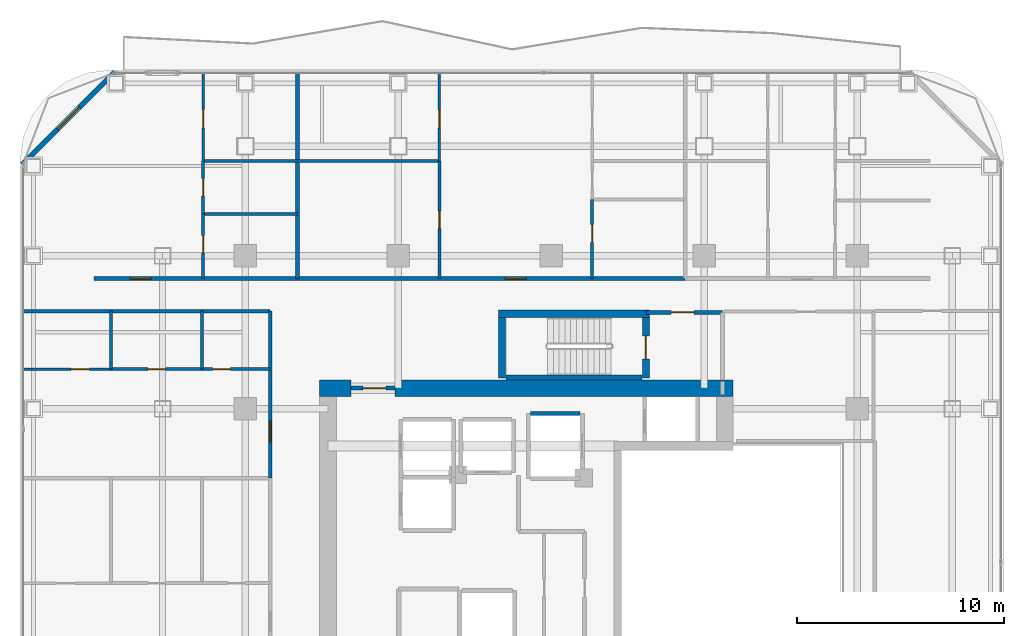
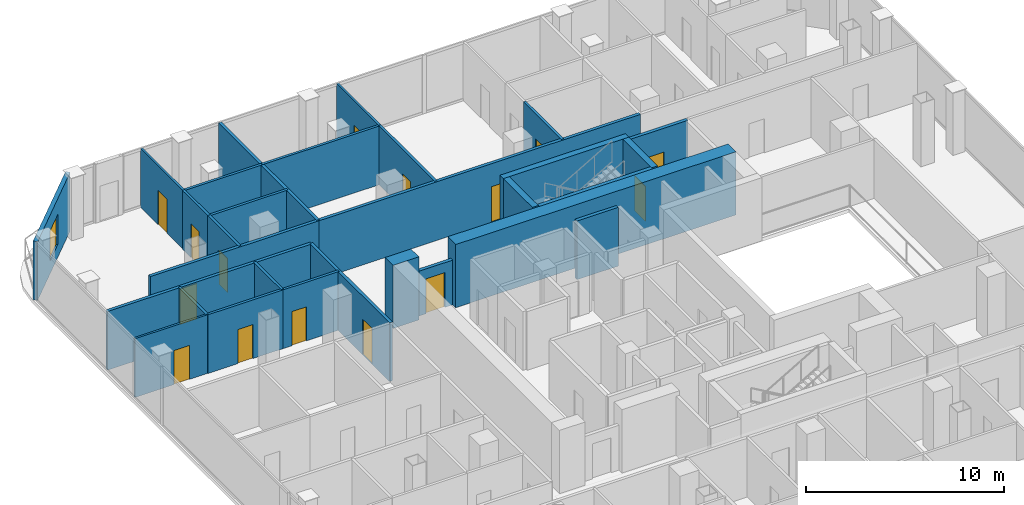
# One storey, part 22 of 26: 29 walls, 15 doors, 1 window, 16 openings.
"""IFC4 building model written with IfcOpenShell, lengths in metres."""

from ifc_helpers import new_model, si_unit, direction, frame, frame_2d, origin, place, context, subcontext, project, spatial, rectangle, extrude, material, layer, layer_set, type_object, element, fill, save


model = new_model("IFC4")

# Units and contexts
model_context = context("Model", 3, precision=1e-05, world=origin(), true_north=direction((0.0, 1.0)))
body_context = subcontext(model_context, "Body", "Model", "MODEL_VIEW")
ifc_project = project(units=[si_unit("LENGTHUNIT", "METRE"), si_unit("AREAUNIT", "SQUARE_METRE"), si_unit("VOLUMEUNIT", "CUBIC_METRE"), si_unit("PLANEANGLEUNIT", "RADIAN"), si_unit("MASSUNIT", "GRAM", prefix="KILO")], contexts=[model_context])

# Site, building, storey
site_placement = place(None, origin())
site = spatial("IfcSite", under=ifc_project, at=site_placement, CompositionType="ELEMENT")
building_placement = place(site_placement, origin())
building = spatial("IfcBuilding", under=site, at=building_placement, Name="Khorvyn Point Tower", CompositionType="ELEMENT")
storey_placement = place(building_placement, frame((0.0, 0.0, 187.5)))
storey = spatial("IfcBuildingStorey", under=building, at=storey_placement, Name="L46", CompositionType="ELEMENT", Elevation=187.5)

# Wall, opening, door
ifc_material_1 = material(Name="Double acoustic gypsum on twin steel stud", Category="steel")
ifc_layer_1 = layer(ifc_material_1, 0.179931640625)
ifc_layer_set_1 = layer_set([ifc_layer_1], Name="Acoustic Double-Stud Apartment Demising Wall 180")
wall_type_1 = type_object("IfcWallType", Name="Acoustic Double-Stud Apartment Demising Wall 180", PredefinedType="PARTITIONING", material=ifc_layer_set_1)
wall_1_placement = place(storey_placement, frame((-22.1201171875, 13.699951171875, 0.0), z_axis=(0.0, 0.0, 1.0), x_axis=(1.0, 0.0, 0.0)))
wall_1 = element("IfcWall", 1, at=wall_1_placement, inside=storey, type_object=wall_type_1, Name="Wall", PredefinedType="PARTITIONING", context=body_context, shape_type="SweptSolid", body=[
    extrude(rectangle(XDim=9.840087890625, YDim=0.179931640625, at=frame_2d((4.919921875, 0.0))), origin(), (0.0, 0.0, 1.0), 3.6201171875),
])
opening_1_placement = place(wall_1_placement, frame((1.757568359375, 0.0, 0.0)))
opening_1 = element("IfcOpeningElement", 2, at=opening_1_placement, cuts=wall_1, Name="Opening ID-AP60", PredefinedType="OPENING", context=body_context, shape_type="SweptSolid", body=[
    extrude(rectangle(XDim=1.0, YDim=2.199951171875, at=frame_2d((0.5, 1.10009765625))), frame((0.0, 0.099853515625, 0.0), z_axis=(0.0, -1.0, 0.0), x_axis=(1.0, 0.0, 0.0)), (0.0, 0.0, 1.0), 0.199951171875),
])
ifc_material_2 = material(Name="Engineered hardwood fire-rated leaf", Category="wood")
door_type_1 = type_object("IfcDoorType", Name="Acoustic Solid-Core Timber Apartment Entrance Door 1000x2200", OperationType="NOTDEFINED", PredefinedType="DOOR", material=ifc_material_2)
door_1_placement = place(opening_1_placement, origin())
door_1 = element("IfcDoor", 3, at=door_1_placement, inside=storey, type_object=door_type_1, Name="Door", OperationType="SINGLE_SWING_RIGHT", OverallHeight=2.199951171875, OverallWidth=1.0, PredefinedType="DOOR", context=body_context, shape_type="SweptSolid", body=[
    extrude(rectangle(XDim=1.0, YDim=2.199951171875, at=frame_2d((0.5, 1.10009765625))), frame((0.0, 0.02490234375, 0.0), z_axis=(0.0, -1.0, 0.0), x_axis=(1.0, 0.0, 0.0)), (0.0, 0.0, 1.0), 0.050048828125),
])
fill(opening_1, door_1)

wall_2_placement = place(storey_placement, frame((-12.280029296875, 13.699951171875, 0.0), z_axis=(0.0, 0.0, 1.0), x_axis=(1.0, 0.0, 0.0)))
wall_2 = element("IfcWall", 4, at=wall_2_placement, inside=storey, type_object=wall_type_1, Name="Wall", PredefinedType="PARTITIONING", context=body_context, shape_type="SweptSolid", body=[
    extrude(rectangle(XDim=18.758056640625, YDim=0.179931640625, at=frame_2d((9.37890625, 0.0))), origin(), (0.0, 0.0, 1.0), 3.6201171875),
])
opening_2_placement = place(wall_2_placement, frame((10.047607421875, 0.0, 0.0)))
opening_2 = element("IfcOpeningElement", 5, at=opening_2_placement, cuts=wall_2, Name="Opening ID-AP60", PredefinedType="OPENING", context=body_context, shape_type="SweptSolid", body=[
    extrude(rectangle(XDim=1.0, YDim=2.199951171875, at=frame_2d((0.5, 1.10009765625))), frame((0.0, 0.099853515625, 0.0), z_axis=(0.0, -1.0, 0.0), x_axis=(1.0, 0.0, 0.0)), (0.0, 0.0, 1.0), 0.199951171875),
])
door_2_placement = place(opening_2_placement, origin())
door_2 = element("IfcDoor", 6, at=door_2_placement, inside=storey, type_object=door_type_1, Name="Door", OperationType="SINGLE_SWING_RIGHT", OverallHeight=2.199951171875, OverallWidth=1.0, PredefinedType="DOOR", context=body_context, shape_type="SweptSolid", body=[
    extrude(rectangle(XDim=1.0, YDim=2.199951171875, at=frame_2d((0.5, 1.10009765625))), frame((0.0, 0.02490234375, 0.0), z_axis=(0.0, -1.0, 0.0), x_axis=(1.0, 0.0, 0.0)), (0.0, 0.0, 1.0), 0.050048828125),
])
fill(opening_2, door_2)

wall_3_placement = place(storey_placement, frame((-13.60009765625, 4.0400390625, 0.0), z_axis=(0.0, 0.0, 1.0), x_axis=(0.0, 1.0, 0.0)))
wall_3 = element("IfcWall", 7, at=wall_3_placement, inside=storey, type_object=wall_type_1, Name="Wall", PredefinedType="PARTITIONING", context=body_context, shape_type="SweptSolid", body=[
    extrude(rectangle(XDim=8.080078125, YDim=0.179931640625, at=frame_2d((4.0400390625, 0.0))), origin(), (0.0, 0.0, 1.0), 3.6201171875),
])
opening_3_placement = place(wall_3_placement, frame((1.760986328125, 0.0, 0.0)))
opening_3 = element("IfcOpeningElement", 8, at=opening_3_placement, cuts=wall_3, Name="Opening ID-AP60", PredefinedType="OPENING", context=body_context, shape_type="SweptSolid", body=[
    extrude(rectangle(XDim=1.0, YDim=2.199951171875, at=frame_2d((0.5, 1.10009765625))), frame((0.0, 0.099853515625, 0.0), z_axis=(0.0, -1.0, 0.0), x_axis=(1.0, 0.0, 0.0)), (0.0, 0.0, 1.0), 0.199951171875),
])
door_3_placement = place(opening_3_placement, origin())
door_3 = element("IfcDoor", 9, at=door_3_placement, inside=storey, type_object=door_type_1, Name="Door", OperationType="SINGLE_SWING_LEFT", OverallHeight=2.199951171875, OverallWidth=1.0, PredefinedType="DOOR", context=body_context, shape_type="SweptSolid", body=[
    extrude(rectangle(XDim=1.0, YDim=2.199951171875, at=frame_2d((0.5, 1.10009765625))), frame((0.0, 0.02490234375, 0.0), z_axis=(0.0, -1.0, 0.0), x_axis=(1.0, 0.0, 0.0)), (0.0, 0.0, 1.0), 0.050048828125),
])
fill(opening_3, door_3)

# Walls
wall_4_placement = place(storey_placement, frame((-12.280029296875, 13.699951171875, 0.0), z_axis=(0.0, 0.0, 1.0), x_axis=(0.0, 1.0, 0.0)))
element("IfcWall", 10, at=wall_4_placement, inside=storey, type_object=wall_type_1, Name="Wall", PredefinedType="PARTITIONING", context=body_context, shape_type="SweptSolid", body=[
    extrude(rectangle(XDim=9.929931640625, YDim=0.179931640625, at=frame_2d((4.96484375, 0.0))), origin(), (0.0, 0.0, 1.0), 3.6201171875),
])
wall_5_placement = place(storey_placement, frame((-25.530029296875, 12.1201171875, 0.0), z_axis=(0.0, 0.0, 1.0), x_axis=(1.0, 0.0, 0.0)))
element("IfcWall", 11, at=wall_5_placement, inside=storey, type_object=wall_type_1, Name="Wall", PredefinedType="PARTITIONING", context=body_context, shape_type="SweptSolid", body=[
    extrude(rectangle(XDim=11.929931640625, YDim=0.179931640625, at=frame_2d((5.96484375, 0.0))), origin(), (0.0, 0.0, 1.0), 3.6201171875),
])

# Wall, opening, window
ifc_material_3 = material(Name="Pale anodised aluminium rainscreen on steel stud", Category="steel")
ifc_layer_2 = layer(ifc_material_3, 0.239990234375)
ifc_layer_set_2 = layer_set([ifc_layer_2], Name="Anodised Aluminium Insulated Corner Spandrel Wall 240")
wall_type_2 = type_object("IfcWallType", Name="Anodised Aluminium Insulated Corner Spandrel Wall 240", PredefinedType="SOLIDWALL", material=ifc_layer_set_2)
wall_6_placement = place(storey_placement, frame((-25.59228515625, 19.20751953125, 0.0), z_axis=(0.0, 0.0, 1.0), x_axis=(0.707087534163, 0.707126027686, 0.0)))
wall_6 = element("IfcWall", 12, at=wall_6_placement, inside=storey, type_object=wall_type_2, Name="L46 Rounded Corner Wall NW", PredefinedType="SOLIDWALL", context=body_context, shape_type="SweptSolid", body=[
    extrude(rectangle(XDim=6.34228515625, YDim=0.239990234375, at=frame_2d((3.171142578125, 0.0))), origin(), (0.0, 0.0, 1.0), 3.6201171875),
])
opening_4_placement = place(wall_6_placement, frame((2.42138671875, 0.0, 0.800048828125)))
opening_4 = element("IfcOpeningElement", 13, at=opening_4_placement, cuts=wall_6, Name="Opening WN-1518", PredefinedType="OPENING", context=body_context, shape_type="SweptSolid", body=[
    extrude(rectangle(XDim=1.5, YDim=1.85009765625, at=frame_2d((0.75, 0.925048828125))), frame((0.0, 0.1298828125, 0.0), z_axis=(0.0, -1.0, 0.0), x_axis=(1.0, 0.0, 0.0)), (0.0, 0.0, 1.0), 0.260009765625),
])
ifc_material_4 = material(Name="Anodised aluminium 6063-T6 and laminated Low-E glass", Category="aluminium")
window_type = type_object("IfcWindowType", Name="Anodised Aluminium Rounded-Corner Panoramic Window 1500x1850", PartitioningType="SINGLE_PANEL", PredefinedType="WINDOW", material=ifc_material_4)
window_placement = place(opening_4_placement, origin())
window = element("IfcWindow", 14, at=window_placement, inside=storey, type_object=window_type, Name="L46 Corner Panoramic Window NW", OverallHeight=1.85009765625, OverallWidth=1.5, PartitioningType="SINGLE_PANEL", PredefinedType="WINDOW", context=body_context, shape_type="SweptSolid", body=[
    extrude(rectangle(XDim=1.5, YDim=1.85009765625, at=frame_2d((0.75, 0.925048828125))), frame((0.0, 0.030029296875, 0.0), z_axis=(0.0, -1.0, 0.0), x_axis=(1.0, 0.0, 0.0)), (0.0, 0.0, 1.0), 0.06005859375),
])
fill(opening_4, window)

# Wall, opening, door
ifc_material_5 = material(Name="Concrete C40/50", Category="concrete")
ifc_layer_3 = layer(ifc_material_5, 0.199951171875)
ifc_layer_set_3 = layer_set([ifc_layer_3], Name="Concrete C40/50 Fire-Lobby Compartment Wall 200")
wall_type_3 = type_object("IfcWallType", Name="Concrete C40/50 Fire-Lobby Compartment Wall 200", PredefinedType="SOLIDWALL", material=ifc_layer_set_3)
wall_7_placement = place(storey_placement, frame((4.580078125, 12.06005859375, 0.0), z_axis=(0.0, 0.0, 1.0), x_axis=(1.0, 0.0, 0.0)))
wall_7 = element("IfcWall", 15, at=wall_7_placement, inside=storey, type_object=wall_type_3, Name="Wall", PredefinedType="SOLIDWALL", context=body_context, shape_type="SweptSolid", body=[
    extrude(rectangle(XDim=3.699951171875, YDim=0.199951171875, at=frame_2d((1.85009765625, 0.0))), origin(), (0.0, 0.0, 1.0), 3.6201171875),
])
opening_5_placement = place(wall_7_placement, frame((1.21240234375, 0.0, 0.0)))
opening_5 = element("IfcOpeningElement", 16, at=opening_5_placement, cuts=wall_7, Name="Opening ID-FL90", PredefinedType="OPENING", context=body_context, shape_type="SweptSolid", body=[
    extrude(rectangle(XDim=1.10009765625, YDim=2.14990234375, at=frame_2d((0.550048828125, 1.074951171875))), frame((0.0, 0.10986328125, 0.0), z_axis=(0.0, -1.0, 0.0), x_axis=(1.0, 0.0, 0.0)), (0.0, 0.0, 1.0), 0.219970703125),
])
ifc_material_6 = material(Name="Galvanised powder-coated steel", Category="steel")
door_type_2 = type_object("IfcDoorType", Name="Fire-Rated Steel Lobby and Stair Door 1100x2150", OperationType="NOTDEFINED", PredefinedType="DOOR", material=ifc_material_6)
door_4_placement = place(opening_5_placement, origin())
door_4 = element("IfcDoor", 17, at=door_4_placement, inside=storey, type_object=door_type_2, Name="Door", OperationType="SINGLE_SWING_RIGHT", OverallHeight=2.14990234375, OverallWidth=1.10009765625, PredefinedType="DOOR", context=body_context, shape_type="SweptSolid", body=[
    extrude(rectangle(XDim=1.10009765625, YDim=2.14990234375, at=frame_2d((0.550048828125, 1.074951171875))), frame((0.0, 0.02490234375, 0.0), z_axis=(0.0, -1.0, 0.0), x_axis=(1.0, 0.0, 0.0)), (0.0, 0.0, 1.0), 0.050048828125),
])
fill(opening_5, door_4)

wall_8_placement = place(storey_placement, frame((-9.699951171875, 8.39990234375, 0.0), z_axis=(0.0, 0.0, 1.0), x_axis=(1.0, 0.0, 0.0)))
wall_8 = element("IfcWall", 18, at=wall_8_placement, inside=storey, type_object=wall_type_3, Name="Wall", PredefinedType="SOLIDWALL", context=body_context, shape_type="SweptSolid", body=[
    extrude(rectangle(XDim=2.14990234375, YDim=0.199951171875, at=frame_2d((1.074951171875, 0.0))), origin(), (0.0, 0.0, 1.0), 2.760009765625),
])
opening_6_placement = place(wall_8_placement, frame((0.597900390625, 0.0, 0.0)))
opening_6 = element("IfcOpeningElement", 19, at=opening_6_placement, cuts=wall_8, Name="Opening ID-FL90", PredefinedType="OPENING", context=body_context, shape_type="SweptSolid", body=[
    extrude(rectangle(XDim=1.10009765625, YDim=2.14990234375, at=frame_2d((0.550048828125, 1.074951171875))), frame((0.0, 0.10986328125, 0.0), z_axis=(0.0, -1.0, 0.0), x_axis=(1.0, 0.0, 0.0)), (0.0, 0.0, 1.0), 0.219970703125),
])
door_5_placement = place(opening_6_placement, origin())
door_5 = element("IfcDoor", 20, at=door_5_placement, inside=storey, type_object=door_type_2, Name="Door", OperationType="SINGLE_SWING_RIGHT", OverallHeight=2.14990234375, OverallWidth=1.10009765625, PredefinedType="DOOR", context=body_context, shape_type="SweptSolid", body=[
    extrude(rectangle(XDim=1.10009765625, YDim=2.14990234375, at=frame_2d((0.550048828125, 1.074951171875))), frame((0.0, 0.02490234375, 0.0), z_axis=(0.0, -1.0, 0.0), x_axis=(1.0, 0.0, 0.0)), (0.0, 0.0, 1.0), 0.050048828125),
])
fill(opening_6, door_5)

# Walls
ifc_layer_4 = layer(ifc_material_5, 0.25)
ifc_layer_set_4 = layer_set([ifc_layer_4], Name="Concrete C40/50 Stair Inner Cheek Structural Wall 250")
wall_type_4 = type_object("IfcWallType", Name="Concrete C40/50 Stair Inner Cheek Structural Wall 250", PredefinedType="SHEAR", material=ifc_layer_set_4)
wall_9_placement = place(storey_placement, frame((-2.199951171875, 8.91259765625, 0.0), z_axis=(0.0, 0.0, 1.0), x_axis=(1.0, 0.0, 0.0)))
element("IfcWall", 21, at=wall_9_placement, inside=storey, type_object=wall_type_4, Name="Wall", PredefinedType="SHEAR", context=body_context, shape_type="SweptSolid", body=[
    extrude(rectangle(XDim=6.599853515625, YDim=0.22509765625, at=frame_2d((3.2998046875, 0.0))), origin(), (0.0, 0.0, 1.0), 3.89990234375),
])
ifc_layer_5 = layer(ifc_material_5, 0.35009765625)
ifc_layer_set_5 = layer_set([ifc_layer_5], Name="Concrete C40/50 Stair Shaft Structural Wall 350")
wall_type_5 = type_object("IfcWallType", Name="Concrete C40/50 Stair Shaft Structural Wall 350", PredefinedType="SHEAR", material=ifc_layer_set_5)
wall_10_placement = place(storey_placement, frame((-2.554931640625, 12.0, 0.0), z_axis=(0.0, 0.0, 1.0), x_axis=(1.0, 0.0, 0.0)))
element("IfcWall", 22, at=wall_10_placement, inside=storey, type_object=wall_type_5, Name="L46 ST-02 North Shaft Wall", PredefinedType="SHEAR", context=body_context, shape_type="SweptSolid", body=[
    extrude(rectangle(XDim=7.309814453125, YDim=0.35009765625, at=frame_2d((3.65478515625, 0.0))), origin(), (0.0, 0.0, 1.0), 3.89990234375),
])
wall_11_placement = place(storey_placement, frame((-2.3798828125, 8.89990234375, 0.0), z_axis=(0.0, 0.0, 1.0), x_axis=(0.0, 1.0, 0.0)))
element("IfcWall", 23, at=wall_11_placement, inside=storey, type_object=wall_type_5, Name="L46 ST-02 West Shaft Wall", PredefinedType="SHEAR", context=body_context, shape_type="SweptSolid", body=[
    extrude(rectangle(XDim=2.925048828125, YDim=0.35009765625, at=frame_2d((1.46240234375, 0.0))), origin(), (0.0, 0.0, 1.0), 3.89990234375),
])

# Wall, opening, door
wall_12_placement = place(storey_placement, frame((4.580078125, 11.824951171875, 0.0), z_axis=(0.0, 0.0, 1.0), x_axis=(0.0, -1.0, 0.0)))
wall_12 = element("IfcWall", 24, at=wall_12_placement, inside=storey, type_object=wall_type_5, Name="L46 ST-02 East Landing Door Wall", PredefinedType="SHEAR", context=body_context, shape_type="SweptSolid", body=[
    extrude(rectangle(XDim=2.925048828125, YDim=0.35009765625, at=frame_2d((1.46240234375, 0.0))), origin(), (0.0, 0.0, 1.0), 3.89990234375),
])
opening_7_placement = place(wall_12_placement, frame((0.91259765625, 0.0, 0.0)))
opening_7 = element("IfcOpeningElement", 25, at=opening_7_placement, cuts=wall_12, Name="Opening ID-FL90", PredefinedType="OPENING", context=body_context, shape_type="SweptSolid", body=[
    extrude(rectangle(XDim=1.10009765625, YDim=2.14990234375, at=frame_2d((0.550048828125, 1.074951171875))), frame((0.0, 0.18505859375, 0.0), z_axis=(0.0, -1.0, 0.0), x_axis=(1.0, 0.0, 0.0)), (0.0, 0.0, 1.0), 0.3701171875),
])
door_6_placement = place(opening_7_placement, origin())
door_6 = element("IfcDoor", 26, at=door_6_placement, inside=storey, type_object=door_type_2, Name="L46 ST-02 Smokeproof Landing Door", OperationType="SINGLE_SWING_LEFT", OverallHeight=2.14990234375, OverallWidth=1.10009765625, PredefinedType="DOOR", context=body_context, shape_type="SweptSolid", body=[
    extrude(rectangle(XDim=1.10009765625, YDim=2.14990234375, at=frame_2d((0.550048828125, 1.074951171875))), frame((0.0, 0.02490234375, 0.0), z_axis=(0.0, -1.0, 0.0), x_axis=(1.0, 0.0, 0.0)), (0.0, 0.0, 1.0), 0.050048828125),
])
fill(opening_7, door_6)

# Walls
ifc_layer_6 = layer(ifc_material_5, 0.199951171875)
ifc_layer_set_6 = layer_set([ifc_layer_6], Name="Concrete C40/50 Structural Hoistway and Stair Shaft Wall 200")
wall_type_6 = type_object("IfcWallType", Name="Concrete C40/50 Structural Hoistway and Stair Shaft Wall 200", PredefinedType="SHEAR", material=ifc_layer_set_6)
wall_13_placement = place(storey_placement, frame((-1.0, 7.175048828125, 0.0), z_axis=(0.0, 0.0, 1.0), x_axis=(1.0, 0.0, 0.0)))
element("IfcWall", 27, at=wall_13_placement, inside=storey, type_object=wall_type_6, Name="Wall", PredefinedType="SHEAR", context=body_context, shape_type="SweptSolid", body=[
    extrude(rectangle(XDim=2.39990234375, YDim=0.199951171875, at=frame_2d((1.199951171875, 0.0))), origin(), (0.0, 0.0, 1.0), 3.6201171875),
])
ifc_material_7 = material(Name="Concrete C45/55", Category="concrete")
ifc_layer_7 = layer(ifc_material_7, 0.800048828125)
ifc_layer_set_7 = layer_set([ifc_layer_7], Name="Concrete C45/55 Core Shear Wall 800")
wall_type_7 = type_object("IfcWallType", Name="Concrete C45/55 Core Shear Wall 800", PredefinedType="SHEAR", material=ifc_layer_set_7)
wall_14_placement = place(storey_placement, frame((-11.199951171875, 8.39990234375, 0.0), z_axis=(0.0, 0.0, 1.0), x_axis=(1.0, 0.0, 0.0)))
element("IfcWall", 28, at=wall_14_placement, inside=storey, type_object=wall_type_7, Name="Wall", PredefinedType="SHEAR", context=body_context, shape_type="SweptSolid", body=[
    extrude(rectangle(XDim=1.5, YDim=0.800048828125, at=frame_2d((0.75, 0.0))), origin(), (0.0, 0.0, 1.0), 3.89990234375),
])
wall_15_placement = place(storey_placement, frame((-7.550048828125, 8.39990234375, 0.0), z_axis=(0.0, 0.0, 1.0), x_axis=(1.0, 0.0, 0.0)))
element("IfcWall", 29, at=wall_15_placement, inside=storey, type_object=wall_type_7, Name="Wall", PredefinedType="SHEAR", context=body_context, shape_type="SweptSolid", body=[
    extrude(rectangle(XDim=16.35009765625, YDim=0.800048828125, at=frame_2d((8.175048828125, 0.0))), origin(), (0.0, 0.0, 1.0), 3.89990234375),
])

# Wall, opening, door
ifc_material_8 = material(Name="Gypsum plasterboard on steel stud", Category="steel")
ifc_layer_8 = layer(ifc_material_8, 0.1201171875)
ifc_layer_set_8 = layer_set([ifc_layer_8], Name="Gypsum Acoustic Stud Room Partition Wall 120")
wall_type_8 = type_object("IfcWallType", Name="Gypsum Acoustic Stud Room Partition Wall 120", PredefinedType="PARTITIONING", material=ifc_layer_set_8)
wall_16_placement = place(storey_placement, frame((-16.844970703125, 19.389892578125, 0.0), z_axis=(0.0, 0.0, 1.0), x_axis=(0.0, 1.0, 0.0)))
wall_16 = element("IfcWall", 30, at=wall_16_placement, inside=storey, type_object=wall_type_8, Name="Wall", PredefinedType="PARTITIONING", context=body_context, shape_type="SweptSolid", body=[
    extrude(rectangle(XDim=4.239990234375, YDim=0.1201171875, at=frame_2d((2.1201171875, 0.0))), origin(), (0.0, 0.0, 1.0), 3.6201171875),
])
opening_8_placement = place(wall_16_placement, frame((1.581298828125, 0.0, 0.0)))
opening_8 = element("IfcOpeningElement", 31, at=opening_8_placement, cuts=wall_16, Name="Opening ID-RM90", PredefinedType="OPENING", context=body_context, shape_type="SweptSolid", body=[
    extrude(rectangle(XDim=0.89990234375, YDim=2.10009765625, at=frame_2d((0.449951171875, 1.050048828125))), frame((0.0, 0.070068359375, 0.0), z_axis=(0.0, -1.0, 0.0), x_axis=(1.0, 0.0, 0.0)), (0.0, 0.0, 1.0), 0.14013671875),
])
ifc_material_9 = material(Name="Engineered oak veneer timber", Category="wood")
door_type_3 = type_object("IfcDoorType", Name="Flush Engineered Timber Room Door 900x2100", OperationType="NOTDEFINED", PredefinedType="DOOR", material=ifc_material_9)
door_7_placement = place(opening_8_placement, origin())
door_7 = element("IfcDoor", 32, at=door_7_placement, inside=storey, type_object=door_type_3, Name="Door", OperationType="SINGLE_SWING_LEFT", OverallHeight=2.10009765625, OverallWidth=0.89990234375, PredefinedType="DOOR", context=body_context, shape_type="SweptSolid", body=[
    extrude(rectangle(XDim=0.89990234375, YDim=2.10009765625, at=frame_2d((0.449951171875, 1.050048828125))), frame((0.0, 0.02490234375, 0.0), z_axis=(0.0, -1.0, 0.0), x_axis=(1.0, 0.0, 0.0)), (0.0, 0.0, 1.0), 0.050048828125),
])
fill(opening_8, door_7)

wall_17_placement = place(storey_placement, frame((-5.407958984375, 19.389892578125, 0.0), z_axis=(0.0, 0.0, 1.0), x_axis=(0.0, 1.0, 0.0)))
wall_17 = element("IfcWall", 33, at=wall_17_placement, inside=storey, type_object=wall_type_8, Name="Wall", PredefinedType="PARTITIONING", context=body_context, shape_type="SweptSolid", body=[
    extrude(rectangle(XDim=4.239990234375, YDim=0.1201171875, at=frame_2d((2.1201171875, 0.0))), origin(), (0.0, 0.0, 1.0), 3.6201171875),
])
opening_9_placement = place(wall_17_placement, frame((1.581298828125, 0.0, 0.0)))
opening_9 = element("IfcOpeningElement", 34, at=opening_9_placement, cuts=wall_17, Name="Opening ID-RM90", PredefinedType="OPENING", context=body_context, shape_type="SweptSolid", body=[
    extrude(rectangle(XDim=0.89990234375, YDim=2.10009765625, at=frame_2d((0.449951171875, 1.050048828125))), frame((0.0, 0.070068359375, 0.0), z_axis=(0.0, -1.0, 0.0), x_axis=(1.0, 0.0, 0.0)), (0.0, 0.0, 1.0), 0.14013671875),
])
door_8_placement = place(opening_9_placement, origin())
door_8 = element("IfcDoor", 35, at=door_8_placement, inside=storey, type_object=door_type_3, Name="Door", OperationType="SINGLE_SWING_RIGHT", OverallHeight=2.10009765625, OverallWidth=0.89990234375, PredefinedType="DOOR", context=body_context, shape_type="SweptSolid", body=[
    extrude(rectangle(XDim=0.89990234375, YDim=2.10009765625, at=frame_2d((0.449951171875, 1.050048828125))), frame((0.0, 0.02490234375, 0.0), z_axis=(0.0, -1.0, 0.0), x_axis=(1.0, 0.0, 0.0)), (0.0, 0.0, 1.0), 0.050048828125),
])
fill(opening_9, door_8)

wall_18_placement = place(storey_placement, frame((-25.530029296875, 9.320068359375, 0.0), z_axis=(0.0, 0.0, 1.0), x_axis=(1.0, 0.0, 0.0)))
wall_18 = element("IfcWall", 36, at=wall_18_placement, inside=storey, type_object=wall_type_8, Name="Wall", PredefinedType="PARTITIONING", context=body_context, shape_type="SweptSolid", body=[
    extrude(rectangle(XDim=4.239990234375, YDim=0.1201171875, at=frame_2d((2.1201171875, 0.0))), origin(), (0.0, 0.0, 1.0), 3.6201171875),
])
opening_10_placement = place(wall_18_placement, frame((2.291748046875, 0.0, 0.0)))
opening_10 = element("IfcOpeningElement", 37, at=opening_10_placement, cuts=wall_18, Name="Opening ID-RM90", PredefinedType="OPENING", context=body_context, shape_type="SweptSolid", body=[
    extrude(rectangle(XDim=0.89990234375, YDim=2.10009765625, at=frame_2d((0.449951171875, 1.050048828125))), frame((0.0, 0.070068359375, 0.0), z_axis=(0.0, -1.0, 0.0), x_axis=(1.0, 0.0, 0.0)), (0.0, 0.0, 1.0), 0.14013671875),
])
door_9_placement = place(opening_10_placement, origin())
door_9 = element("IfcDoor", 38, at=door_9_placement, inside=storey, type_object=door_type_3, Name="Door", OperationType="SINGLE_SWING_RIGHT", OverallHeight=2.10009765625, OverallWidth=0.89990234375, PredefinedType="DOOR", context=body_context, shape_type="SweptSolid", body=[
    extrude(rectangle(XDim=0.89990234375, YDim=2.10009765625, at=frame_2d((0.449951171875, 1.050048828125))), frame((0.0, 0.02490234375, 0.0), z_axis=(0.0, -1.0, 0.0), x_axis=(1.0, 0.0, 0.0)), (0.0, 0.0, 1.0), 0.050048828125),
])
fill(opening_10, door_9)

ifc_material_10 = material(Name="Moisture-resistant gypsum and cement board", Category="gypsum")
ifc_layer_9 = layer(ifc_material_10, 0.14990234375)
ifc_layer_set_9 = layer_set([ifc_layer_9], Name="Moisture-Resistant Wet-Room Partition Wall 150")
wall_type_9 = type_object("IfcWallType", Name="Moisture-Resistant Wet-Room Partition Wall 150", PredefinedType="PARTITIONING", material=ifc_layer_set_9)
wall_19_placement = place(storey_placement, frame((-16.844970703125, 13.699951171875, 0.0), z_axis=(0.0, 0.0, 1.0), x_axis=(0.0, 1.0, 0.0)))
wall_19 = element("IfcWall", 39, at=wall_19_placement, inside=storey, type_object=wall_type_9, Name="Wall", PredefinedType="PARTITIONING", context=body_context, shape_type="SweptSolid", body=[
    extrude(rectangle(XDim=3.129150390625, YDim=0.14990234375, at=frame_2d((1.564453125, 0.0))), origin(), (0.0, 0.0, 1.0), 3.6201171875),
])
opening_11_placement = place(wall_19_placement, frame((1.228515625, 0.0, 0.0)))
opening_11 = element("IfcOpeningElement", 40, at=opening_11_placement, cuts=wall_19, Name="Opening ID-WC85", PredefinedType="OPENING", context=body_context, shape_type="SweptSolid", body=[
    extrude(rectangle(XDim=0.85009765625, YDim=2.10009765625, at=frame_2d((0.425048828125, 1.050048828125))), frame((0.0, 0.0849609375, 0.0), z_axis=(0.0, -1.0, 0.0), x_axis=(1.0, 0.0, 0.0)), (0.0, 0.0, 1.0), 0.169921875),
])
ifc_material_11 = material(Name="High-pressure laminate on moisture-resistant core", Category="wood")
door_type_4 = type_object("IfcDoorType", Name="Moisture-Resistant Accessible Washroom Door 850x2100", OperationType="NOTDEFINED", PredefinedType="DOOR", material=ifc_material_11)
door_10_placement = place(opening_11_placement, origin())
door_10 = element("IfcDoor", 41, at=door_10_placement, inside=storey, type_object=door_type_4, Name="Door", OperationType="SINGLE_SWING_LEFT", OverallHeight=2.10009765625, OverallWidth=0.85009765625, PredefinedType="DOOR", context=body_context, shape_type="SweptSolid", body=[
    extrude(rectangle(XDim=0.85009765625, YDim=2.10009765625, at=frame_2d((0.425048828125, 1.050048828125))), frame((0.0, 0.02490234375, 0.0), z_axis=(0.0, -1.0, 0.0), x_axis=(1.0, 0.0, 0.0)), (0.0, 0.0, 1.0), 0.050048828125),
])
fill(opening_11, door_10)

wall_20_placement = place(storey_placement, frame((-16.844970703125, 16.8291015625, 0.0), z_axis=(0.0, 0.0, 1.0), x_axis=(0.0, 1.0, 0.0)))
wall_20 = element("IfcWall", 42, at=wall_20_placement, inside=storey, type_object=wall_type_9, Name="Wall", PredefinedType="PARTITIONING", context=body_context, shape_type="SweptSolid", body=[
    extrude(rectangle(XDim=2.560791015625, YDim=0.14990234375, at=frame_2d((1.2802734375, 0.0))), origin(), (0.0, 0.0, 1.0), 3.6201171875),
])
opening_12_placement = place(wall_20_placement, frame((0.85546875, 0.0, 0.0)))
opening_12 = element("IfcOpeningElement", 43, at=opening_12_placement, cuts=wall_20, Name="Opening ID-WC85", PredefinedType="OPENING", context=body_context, shape_type="SweptSolid", body=[
    extrude(rectangle(XDim=0.85009765625, YDim=2.10009765625, at=frame_2d((0.425048828125, 1.050048828125))), frame((0.0, 0.0849609375, 0.0), z_axis=(0.0, -1.0, 0.0), x_axis=(1.0, 0.0, 0.0)), (0.0, 0.0, 1.0), 0.169921875),
])
door_11_placement = place(opening_12_placement, origin())
door_11 = element("IfcDoor", 44, at=door_11_placement, inside=storey, type_object=door_type_4, Name="Door", OperationType="SINGLE_SWING_RIGHT", OverallHeight=2.10009765625, OverallWidth=0.85009765625, PredefinedType="DOOR", context=body_context, shape_type="SweptSolid", body=[
    extrude(rectangle(XDim=0.85009765625, YDim=2.10009765625, at=frame_2d((0.425048828125, 1.050048828125))), frame((0.0, 0.02490234375, 0.0), z_axis=(0.0, -1.0, 0.0), x_axis=(1.0, 0.0, 0.0)), (0.0, 0.0, 1.0), 0.050048828125),
])
fill(opening_12, door_11)

wall_21_placement = place(storey_placement, frame((-5.407958984375, 13.699951171875, 0.0), z_axis=(0.0, 0.0, 1.0), x_axis=(0.0, 1.0, 0.0)))
wall_21 = element("IfcWall", 45, at=wall_21_placement, inside=storey, type_object=wall_type_9, Name="Wall", PredefinedType="PARTITIONING", context=body_context, shape_type="SweptSolid", body=[
    extrude(rectangle(XDim=5.68994140625, YDim=0.14990234375, at=frame_2d((2.844970703125, 0.0))), origin(), (0.0, 0.0, 1.0), 3.6201171875),
])
opening_13_placement = place(wall_21_placement, frame((2.419921875, 0.0, 0.0)))
opening_13 = element("IfcOpeningElement", 46, at=opening_13_placement, cuts=wall_21, Name="Opening ID-WC85", PredefinedType="OPENING", context=body_context, shape_type="SweptSolid", body=[
    extrude(rectangle(XDim=0.85009765625, YDim=2.10009765625, at=frame_2d((0.425048828125, 1.050048828125))), frame((0.0, 0.0849609375, 0.0), z_axis=(0.0, -1.0, 0.0), x_axis=(1.0, 0.0, 0.0)), (0.0, 0.0, 1.0), 0.169921875),
])
door_12_placement = place(opening_13_placement, origin())
door_12 = element("IfcDoor", 47, at=door_12_placement, inside=storey, type_object=door_type_4, Name="Door", OperationType="SINGLE_SWING_LEFT", OverallHeight=2.10009765625, OverallWidth=0.85009765625, PredefinedType="DOOR", context=body_context, shape_type="SweptSolid", body=[
    extrude(rectangle(XDim=0.85009765625, YDim=2.10009765625, at=frame_2d((0.425048828125, 1.050048828125))), frame((0.0, 0.02490234375, 0.0), z_axis=(0.0, -1.0, 0.0), x_axis=(1.0, 0.0, 0.0)), (0.0, 0.0, 1.0), 0.050048828125),
])
fill(opening_13, door_12)

wall_22_placement = place(storey_placement, frame((1.971923828125, 13.699951171875, 0.0), z_axis=(0.0, 0.0, 1.0), x_axis=(0.0, 1.0, 0.0)))
wall_22 = element("IfcWall", 48, at=wall_22_placement, inside=storey, type_object=wall_type_9, Name="Wall", PredefinedType="PARTITIONING", context=body_context, shape_type="SweptSolid", body=[
    extrude(rectangle(XDim=3.823974609375, YDim=0.14990234375, at=frame_2d((1.912109375, 0.0))), origin(), (0.0, 0.0, 1.0), 3.6201171875),
])
opening_14_placement = place(wall_22_placement, frame((1.75244140625, 0.0, 0.0)))
opening_14 = element("IfcOpeningElement", 49, at=opening_14_placement, cuts=wall_22, Name="Opening ID-WC85", PredefinedType="OPENING", context=body_context, shape_type="SweptSolid", body=[
    extrude(rectangle(XDim=0.85009765625, YDim=2.10009765625, at=frame_2d((0.425048828125, 1.050048828125))), frame((0.0, 0.0849609375, 0.0), z_axis=(0.0, -1.0, 0.0), x_axis=(1.0, 0.0, 0.0)), (0.0, 0.0, 1.0), 0.169921875),
])
door_13_placement = place(opening_14_placement, origin())
door_13 = element("IfcDoor", 50, at=door_13_placement, inside=storey, type_object=door_type_4, Name="Door", OperationType="SINGLE_SWING_LEFT", OverallHeight=2.10009765625, OverallWidth=0.85009765625, PredefinedType="DOOR", context=body_context, shape_type="SweptSolid", body=[
    extrude(rectangle(XDim=0.85009765625, YDim=2.10009765625, at=frame_2d((0.425048828125, 1.050048828125))), frame((0.0, 0.02490234375, 0.0), z_axis=(0.0, -1.0, 0.0), x_axis=(1.0, 0.0, 0.0)), (0.0, 0.0, 1.0), 0.050048828125),
])
fill(opening_14, door_13)

wall_23_placement = place(storey_placement, frame((-21.2900390625, 9.320068359375, 0.0), z_axis=(0.0, 0.0, 1.0), x_axis=(1.0, 0.0, 0.0)))
wall_23 = element("IfcWall", 51, at=wall_23_placement, inside=storey, type_object=wall_type_9, Name="Wall", PredefinedType="PARTITIONING", context=body_context, shape_type="SweptSolid", body=[
    extrude(rectangle(XDim=4.39697265625, YDim=0.14990234375, at=frame_2d((2.198486328125, 0.0))), origin(), (0.0, 0.0, 1.0), 3.6201171875),
])
opening_15_placement = place(wall_23_placement, frame((1.7734375, 0.0, 0.0)))
opening_15 = element("IfcOpeningElement", 52, at=opening_15_placement, cuts=wall_23, Name="Opening ID-WC85", PredefinedType="OPENING", context=body_context, shape_type="SweptSolid", body=[
    extrude(rectangle(XDim=0.85009765625, YDim=2.10009765625, at=frame_2d((0.425048828125, 1.050048828125))), frame((0.0, 0.0849609375, 0.0), z_axis=(0.0, -1.0, 0.0), x_axis=(1.0, 0.0, 0.0)), (0.0, 0.0, 1.0), 0.169921875),
])
door_14_placement = place(opening_15_placement, origin())
door_14 = element("IfcDoor", 53, at=door_14_placement, inside=storey, type_object=door_type_4, Name="Door", OperationType="SINGLE_SWING_RIGHT", OverallHeight=2.10009765625, OverallWidth=0.85009765625, PredefinedType="DOOR", context=body_context, shape_type="SweptSolid", body=[
    extrude(rectangle(XDim=0.85009765625, YDim=2.10009765625, at=frame_2d((0.425048828125, 1.050048828125))), frame((0.0, 0.02490234375, 0.0), z_axis=(0.0, -1.0, 0.0), x_axis=(1.0, 0.0, 0.0)), (0.0, 0.0, 1.0), 0.050048828125),
])
fill(opening_15, door_14)

wall_24_placement = place(storey_placement, frame((-16.89306640625, 9.320068359375, 0.0), z_axis=(0.0, 0.0, 1.0), x_axis=(1.0, 0.0, 0.0)))
wall_24 = element("IfcWall", 54, at=wall_24_placement, inside=storey, type_object=wall_type_9, Name="Wall", PredefinedType="PARTITIONING", context=body_context, shape_type="SweptSolid", body=[
    extrude(rectangle(XDim=3.29296875, YDim=0.14990234375, at=frame_2d((1.646484375, 0.0))), origin(), (0.0, 0.0, 1.0), 3.6201171875),
])
opening_16_placement = place(wall_24_placement, frame((0.513916015625, 0.0, 0.0)))
opening_16 = element("IfcOpeningElement", 55, at=opening_16_placement, cuts=wall_24, Name="Opening ID-WC85", PredefinedType="OPENING", context=body_context, shape_type="SweptSolid", body=[
    extrude(rectangle(XDim=0.85009765625, YDim=2.10009765625, at=frame_2d((0.425048828125, 1.050048828125))), frame((0.0, 0.0849609375, 0.0), z_axis=(0.0, -1.0, 0.0), x_axis=(1.0, 0.0, 0.0)), (0.0, 0.0, 1.0), 0.169921875),
])
door_15_placement = place(opening_16_placement, origin())
door_15 = element("IfcDoor", 56, at=door_15_placement, inside=storey, type_object=door_type_4, Name="Door", OperationType="SINGLE_SWING_LEFT", OverallHeight=2.10009765625, OverallWidth=0.85009765625, PredefinedType="DOOR", context=body_context, shape_type="SweptSolid", body=[
    extrude(rectangle(XDim=0.85009765625, YDim=2.10009765625, at=frame_2d((0.425048828125, 1.050048828125))), frame((0.0, 0.02490234375, 0.0), z_axis=(0.0, -1.0, 0.0), x_axis=(1.0, 0.0, 0.0)), (0.0, 0.0, 1.0), 0.050048828125),
])
fill(opening_16, door_15)

# Walls
for number, where, z_axis, x_axis, name in (
    (57, (-16.844970703125, 16.8291015625, 0.0), (0.0, 0.0, 1.0), (1.0, 0.0, 0.0), "Wall"),
    (58, (-16.844970703125, 19.389892578125, 0.0), (0.0, 0.0, 1.0), (1.0, 0.0, 0.0), "Wall"),
):
    element("IfcWall", number, at=place(storey_placement, frame(where, z_axis=z_axis, x_axis=x_axis)), inside=storey, type_object=wall_type_9, Name=name, PredefinedType="PARTITIONING", context=body_context, shape_type="SweptSolid", body=[
        extrude(rectangle(XDim=4.56494140625, YDim=0.14990234375, at=frame_2d((2.282470703125, 0.0))), origin(), (0.0, 0.0, 1.0), 3.6201171875),
    ])
wall_25_placement = place(storey_placement, frame((-12.280029296875, 19.389892578125, 0.0), z_axis=(0.0, 0.0, 1.0), x_axis=(1.0, 0.0, 0.0)))
element("IfcWall", 59, at=wall_25_placement, inside=storey, type_object=wall_type_9, Name="Wall", PredefinedType="PARTITIONING", context=body_context, shape_type="SweptSolid", body=[
    extrude(rectangle(XDim=6.8720703125, YDim=0.14990234375, at=frame_2d((3.43603515625, 0.0))), origin(), (0.0, 0.0, 1.0), 3.6201171875),
])
for number, where, z_axis, x_axis, name in (
    (60, (-16.89306640625, 9.320068359375, 0.0), (0.0, 0.0, 1.0), (0.0, 1.0, 0.0), "Wall"),
    (61, (-21.2900390625, 9.320068359375, 0.0), (0.0, 0.0, 1.0), (0.0, 1.0, 0.0), "Wall"),
):
    element("IfcWall", number, at=place(storey_placement, frame(where, z_axis=z_axis, x_axis=x_axis)), inside=storey, type_object=wall_type_9, Name=name, PredefinedType="PARTITIONING", context=body_context, shape_type="SweptSolid", body=[
        extrude(rectangle(XDim=2.800048828125, YDim=0.14990234375, at=frame_2d((1.39990234375, 0.0))), origin(), (0.0, 0.0, 1.0), 3.6201171875),
    ])

save(model, "model.ifc")
